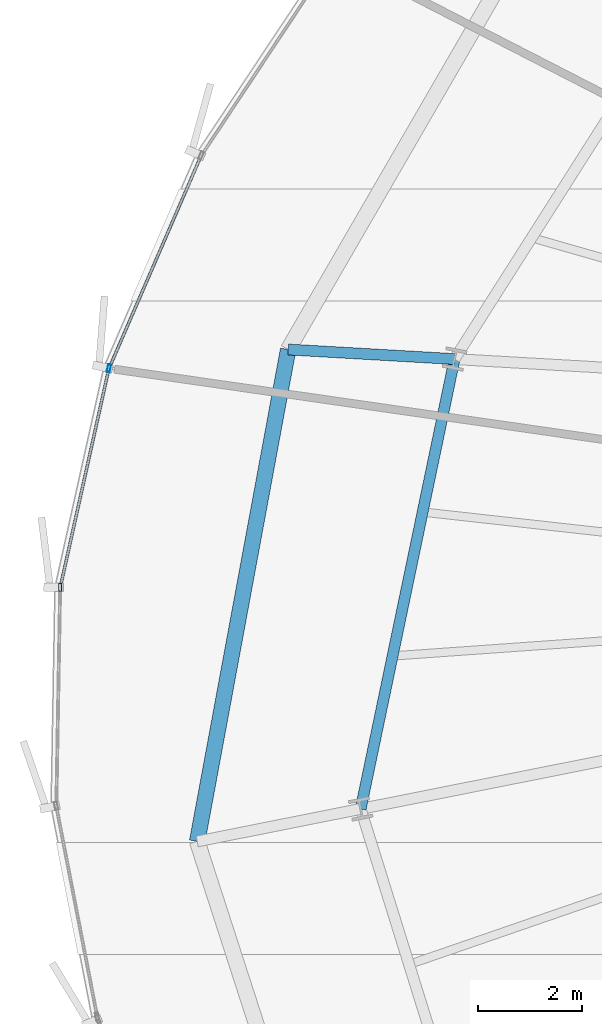
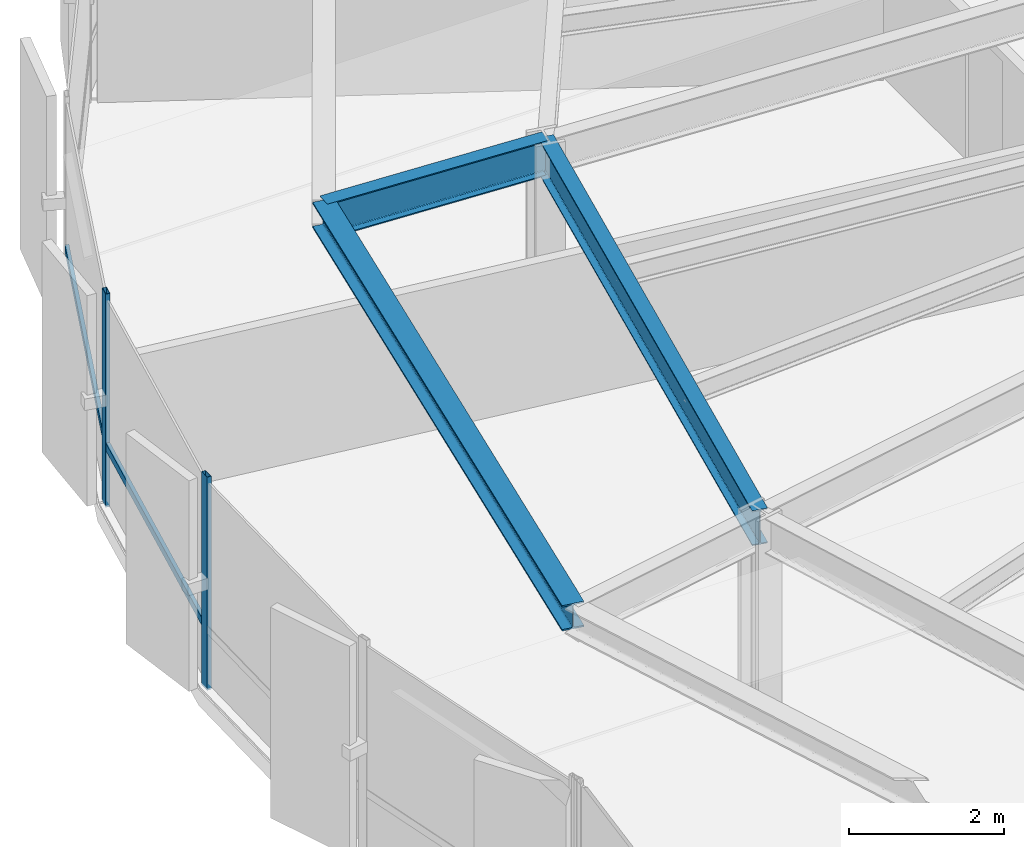
# One storey, part 10 of 35: 4 members, 3 beams, 1 element without a shape of its own.
"""IFC4 building model written with IfcOpenShell, lengths in metres."""

import ifcopenshell
import ifcopenshell.guid

model = None  # the IFC model being written
_history = None  # IfcOwnerHistory: only IFC2X3 demands one
_inside = {}  # id of a spatial element -> (the spatial element, [elements in it])
_under = {}  # id of a project, library or spatial element -> (it, [spatial elements below it])
_declared = {}  # id of a project -> (the project, [libraries it declares])
_typed = {}  # id of a type object -> (the type object, [elements of that type])
_made_of = {}  # id of a material, layer set ... -> (it, [elements and type objects made of it])


def new_model(schema):
    """Start an empty IFC model of exactly this schema.

    Asked for "IFC4X3", IfcOpenShell would pick the latest addendum, in which some entities
    have other attributes; the version numbers below select the first issue.
    IFC2X3 requires an IfcOwnerHistory on every rooted entity: one is made here for all.
    """
    global model, _history
    if schema == "IFC4X3":
        model = ifcopenshell.file(schema_version=(4, 3, 0, 0))
    else:
        model = ifcopenshell.file(schema=schema)
    _inside.clear()
    _under.clear()
    _declared.clear()
    _typed.clear()
    _made_of.clear()
    _history = None
    if model.schema == "IFC2X3":
        org = make("IfcOrganization", Name="unknown")
        user = make(
            "IfcPersonAndOrganization",
            ThePerson=make("IfcPerson", FamilyName="unknown"),
            TheOrganization=org,
        )
        app = make(
            "IfcApplication",
            ApplicationDeveloper=org,
            Version="unknown",
            ApplicationFullName="unknown",
            ApplicationIdentifier="unknown",
        )
        _history = make(
            "IfcOwnerHistory",
            OwningUser=user,
            OwningApplication=app,
            ChangeAction="ADDED",
            CreationDate=0,
        )
    return model


def make(cls, **values):
    """One entity of the class cls with the attributes given. An attribute that is None is left unset."""
    return model.create_entity(
        cls, **{name: value for name, value in values.items() if value is not None}
    )


def rooted(cls, **values):
    """An entity with a GlobalId (a new one), such as an element, a storey or a relation."""
    return make(cls, GlobalId=ifcopenshell.guid.new(), OwnerHistory=_history, **values)


def si_unit(unit_type, name, prefix=None):
    """IfcSIUnit, for example si_unit("LENGTHUNIT", "METRE", prefix="MILLI")."""
    return make("IfcSIUnit", UnitType=unit_type, Prefix=prefix, Name=name)


def assignment(units):
    """IfcUnitAssignment: the units of a project."""
    return None if units is None else make("IfcUnitAssignment", Units=units)


def point(xyz):
    """IfcCartesianPoint."""
    return None if xyz is None else make("IfcCartesianPoint", Coordinates=xyz)


def direction(xyz):
    """IfcDirection."""
    return None if xyz is None else make("IfcDirection", DirectionRatios=xyz)


def frame(location, z_axis=None, x_axis=None):
    """IfcAxis2Placement3D, a coordinate frame: its origin and axes. An axis left out is left unset."""
    return make(
        "IfcAxis2Placement3D",
        Location=point(location),
        Axis=direction(z_axis),
        RefDirection=direction(x_axis),
    )


def frame_2d(location, x_axis=None):
    """IfcAxis2Placement2D, a coordinate frame in the plane: its origin and x axis."""
    return make(
        "IfcAxis2Placement2D", Location=point(location), RefDirection=direction(x_axis)
    )


def origin():
    """The frame at (0, 0, 0) with its axes left unset."""
    return frame((0.0, 0.0, 0.0))


def origin_2d():
    """The frame at (0, 0) in the plane with its x axis left unset."""
    return frame_2d((0.0, 0.0))


def place(relative_to, where):
    """IfcLocalPlacement: puts the frame where relative to a parent placement (None: the world)."""
    return make(
        "IfcLocalPlacement", PlacementRelTo=relative_to, RelativePlacement=where
    )


def context(
    kind, dimensions, precision=None, world=None, true_north=None, identifier=None
):
    """IfcGeometricRepresentationContext, for example the 3D "Model" context."""
    return make(
        "IfcGeometricRepresentationContext",
        ContextIdentifier=identifier,
        ContextType=kind,
        CoordinateSpaceDimension=dimensions,
        Precision=precision,
        WorldCoordinateSystem=world,
        TrueNorth=true_north,
    )


def subcontext(parent, identifier, kind, view, scale=None):
    """IfcGeometricRepresentationSubContext, for example "Body" below "Model"."""
    return make(
        "IfcGeometricRepresentationSubContext",
        ContextIdentifier=identifier,
        ContextType=kind,
        ParentContext=parent,
        TargetScale=scale,
        TargetView=view,
    )


def project(units=None, contexts=None):
    """IfcProject with its units and contexts."""
    return rooted(
        "IfcProject",
        Name="project",
        RepresentationContexts=contexts,
        UnitsInContext=assignment(units),
    )


def spatial(cls, under=None, at=None, **own):
    """A site, building, storey or space (cls), placed at a placement, below another one or the project."""
    s = rooted(cls, ObjectPlacement=at, **own)
    if under is not None:
        _under.setdefault(under.id(), (under, []))[1].append(s)
    return s


def profile(cls, at=None, kind="AREA", **sizes):
    """A parametric profile (cls). Its sizes go by their IFC names, for example OverallWidth=200.0."""
    return make(cls, ProfileType=kind, Position=at, **sizes)


def hollow_rectangle(**sizes):
    """IfcRectangleHollowProfileDef."""
    return profile("IfcRectangleHollowProfileDef", **sizes)


def i_section(**sizes):
    """IfcIShapeProfileDef."""
    return profile("IfcIShapeProfileDef", **sizes)


def extrude(swept, where, along, depth):
    """IfcExtrudedAreaSolid: the profile swept, set in the frame where, extruded along a direction by depth."""
    return make(
        "IfcExtrudedAreaSolid",
        SweptArea=swept,
        Position=where,
        ExtrudedDirection=direction(along),
        Depth=depth,
    )


def shape(context_of_items, identifier, shape_type, items):
    """IfcShapeRepresentation: the items that make up one representation, for example the "Body"."""
    return make(
        "IfcShapeRepresentation",
        ContextOfItems=context_of_items,
        RepresentationIdentifier=identifier,
        RepresentationType=shape_type,
        Items=items,
    )


def source(mapping_origin, context_of_items, identifier, shape_type, items):
    """IfcRepresentationMap: a shape defined once, which mapped items show again and again."""
    return make(
        "IfcRepresentationMap",
        MappingOrigin=mapping_origin,
        MappedRepresentation=shape(context_of_items, identifier, shape_type, items),
    )


def transform(
    local_origin,
    x_axis=None,
    y_axis=None,
    z_axis=None,
    scale=None,
    scale2=None,
    scale3=None,
    uniform=True,
):
    """IfcCartesianTransformationOperator3D, or its non-uniform kind. x_axis, y_axis, z_axis: its Axis1, 2, 3."""
    if uniform:
        return make(
            "IfcCartesianTransformationOperator3D",
            Axis1=direction(x_axis),
            Axis2=direction(y_axis),
            LocalOrigin=point(local_origin),
            Scale=scale,
            Axis3=direction(z_axis),
        )
    return make(
        "IfcCartesianTransformationOperator3DnonUniform",
        Axis1=direction(x_axis),
        Axis2=direction(y_axis),
        LocalOrigin=point(local_origin),
        Scale=scale,
        Axis3=direction(z_axis),
        Scale2=scale2,
        Scale3=scale3,
    )


def mapped(mapping_source, mapping_target):
    """IfcMappedItem: shows the shape of a source again, moved by a transform."""
    return make(
        "IfcMappedItem", MappingSource=mapping_source, MappingTarget=mapping_target
    )


def material(Name=None, Category=None):
    """IfcMaterial."""
    return make("IfcMaterial", Name=Name, Category=Category)


def layer(
    of_material, thickness, ventilated=None, Name=None, Category=None, Priority=None
):
    """IfcMaterialLayer: one layer of a wall or slab, of a material (None: an air gap)."""
    return make(
        "IfcMaterialLayer",
        Material=of_material,
        LayerThickness=thickness,
        IsVentilated=ventilated,
        Name=Name,
        Category=Category,
        Priority=Priority,
    )


def layer_set(layers, Name=None):
    """IfcMaterialLayerSet."""
    return make("IfcMaterialLayerSet", MaterialLayers=layers, LayerSetName=Name)


def material_profile(
    of_material, cross_section, Name=None, Category=None, Priority=None
):
    """IfcMaterialProfile: a cross section and its material."""
    return make(
        "IfcMaterialProfile",
        Name=Name,
        Material=of_material,
        Profile=cross_section,
        Priority=Priority,
        Category=Category,
    )


def profile_set(profiles, Name=None, composite=None):
    """IfcMaterialProfileSet."""
    return make(
        "IfcMaterialProfileSet",
        Name=Name,
        MaterialProfiles=profiles,
        CompositeProfile=composite,
    )


def made_of(thing, what):
    """Note that an element or type object is made of a material, layer set ...; save() writes the relation."""
    if what is not None:
        _made_of.setdefault(what.id(), (what, []))[1].append(thing)
    return thing


def type_object(cls, material=None, **own):
    """A type object (cls), such as IfcWallType, which elements share."""
    return made_of(rooted(cls, **own), material)


def element(
    cls,
    number,
    at=None,
    inside=None,
    cuts=None,
    type_object=None,
    material=None,
    context=None,
    identifier="Body",
    shape_type=None,
    held_by="IfcProductDefinitionShape",
    body=None,
    shapes=None,
    **own,
):
    """One element of the class cls, such as IfcWall. Its Tag is "e" and its number.

    at: its placement. inside: the storey or other place that contains it. cuts: it is an
    opening in that element (IfcRelVoidsElement). A single representation is given by context,
    identifier, shape_type and body (its items); several are given by shapes. held_by: the class
    of the entity that holds the representations. save() writes the other relations.
    """
    e = rooted(cls, Tag="e%d" % number, ObjectPlacement=at, **own)
    if body is not None:
        shapes = [shape(context, identifier, shape_type, body)]
    if shapes is not None:
        e.Representation = make(held_by, Representations=shapes)
    if inside is not None:
        _inside.setdefault(inside.id(), (inside, []))[1].append(e)
    if cuts is not None:
        rooted(
            "IfcRelVoidsElement", RelatingBuildingElement=cuts, RelatedOpeningElement=e
        )
    if type_object is not None:
        _typed.setdefault(type_object.id(), (type_object, []))[1].append(e)
    return made_of(e, material)


def aggregate(whole, parts):
    """IfcRelAggregates: a whole, such as a stair, and the parts it consists of."""
    return rooted("IfcRelAggregates", RelatingObject=whole, RelatedObjects=parts)


def save(model, path):
    """Write the relations noted so far, then the file.

    IfcRelAggregates (storeys below a building ...), IfcRelContainedInSpatialStructure (elements
    in a storey), IfcRelDefinesByType, IfcRelAssociatesMaterial and IfcRelDeclares: one each for
    every whole, place, type object, material and project.
    """
    for whole, parts in _under.values():
        aggregate(whole, parts)
    for where, things in _inside.values():
        rooted(
            "IfcRelContainedInSpatialStructure",
            RelatedElements=things,
            RelatingStructure=where,
        )
    for kind, things in _typed.values():
        rooted("IfcRelDefinesByType", RelatedObjects=things, RelatingType=kind)
    for what, things in _made_of.values():
        rooted("IfcRelAssociatesMaterial", RelatedObjects=things, RelatingMaterial=what)
    for by, libraries in _declared.values():
        rooted("IfcRelDeclares", RelatingContext=by, RelatedDefinitions=libraries)
    model.write(path)


model = new_model("IFC4")

# Units and contexts
model_context = context("Model", 3, precision=1e-05, world=origin(), true_north=direction((0.0, 1.0)))
body_context = subcontext(model_context, "Body", "Model", "MODEL_VIEW")
ifc_project = project(units=[si_unit("LENGTHUNIT", "METRE"), si_unit("AREAUNIT", "SQUARE_METRE"), si_unit("VOLUMEUNIT", "CUBIC_METRE"), si_unit("PLANEANGLEUNIT", "RADIAN"), si_unit("MASSUNIT", "GRAM", prefix="KILO"), si_unit("THERMODYNAMICTEMPERATUREUNIT", "KELVIN")], contexts=[model_context])

# Site, building, storey
site_placement = place(None, origin())
site = spatial("IfcSite", under=ifc_project, at=site_placement, CompositionType="ELEMENT")
building_placement = place(site_placement, origin())
building = spatial("IfcBuilding", under=site, at=building_placement, Name="Kethvar Cultural Tower", CompositionType="ELEMENT")
storey_placement = place(building_placement, frame((0.0, 0.0, 103.60009765625)))
storey = spatial("IfcBuildingStorey", under=building, at=storey_placement, Name="L25", CompositionType="ELEMENT", Elevation=103.60009765625)

# Beams
ifc_material_1 = material(Name="Steel S355J2", Category="steel")
ifc_material_profile_1 = material_profile(ifc_material_1, i_section(OverallWidth=0.2099609375, OverallDepth=0.550048828125, WebThickness=0.010986328125, FlangeThickness=0.01708984375, FilletRadius=0.02392578125, at=origin_2d()), Name="Steel S355J2 — IPE550")
ifc_profile_set_1 = profile_set([ifc_material_profile_1], Name="Steel S355J2 — IPE550")
beam_type_1 = type_object("IfcBeamType", Name="BM-IPE550", PredefinedType="BEAM", material=ifc_profile_set_1)
shared_shape_1 = source(origin(), body_context, "Body", "SweptSolid", [
    extrude(i_section(OverallWidth=0.2099609375, OverallDepth=0.550048828125, WebThickness=0.010986328125, FlangeThickness=0.01708984375, FilletRadius=0.02392578125, at=origin_2d()), origin(), (0.0, 0.0, 1.0), 3.2001953125),
])
beam_1_placement = place(storey_placement, frame((25.988525390625, 31.939697265625, 3.072998046875), z_axis=(-0.998357274949, 0.057295301352, 0.0), x_axis=(-0.057295301352, -0.998357274949, 0.0)))
element("IfcBeam", 1, at=beam_1_placement, inside=storey, type_object=beam_type_1, Name="L25 Perimeter Cantilever Beam RC-08", PredefinedType="BEAM", context=body_context, shape_type="MappedRepresentation", body=[
    mapped(shared_shape_1, transform((0.0, 0.0, 0.0), scale=1.0)),
])
shared_shape_2 = source(origin(), body_context, "Body", "SweptSolid", [
    extrude(i_section(OverallWidth=0.2099609375, OverallDepth=0.550048828125, WebThickness=0.010986328125, FlangeThickness=0.01708984375, FilletRadius=0.02392578125, at=origin_2d()), origin(), (0.0, 0.0, 1.0), 8.82421875),
])
beam_2_placement = place(storey_placement, frame((25.988525390625, 31.939697265625, 3.072998046875), z_axis=(-0.204350879122, -0.978897705688, 0.0), x_axis=(0.978897705688, -0.204350879122, 0.0)))
element("IfcBeam", 2, at=beam_2_placement, inside=storey, type_object=beam_type_1, Name="L25 Column Ring Tie Beam CR-08", PredefinedType="BEAM", context=body_context, shape_type="MappedRepresentation", body=[
    mapped(shared_shape_2, transform((0.0, 0.0, 0.0), scale=1.0)),
])
ifc_material_profile_2 = material_profile(ifc_material_1, i_section(OverallWidth=0.300048828125, OverallDepth=0.39990234375, WebThickness=0.013427734375, FlangeThickness=0.02392578125, FilletRadius=0.027099609375, at=origin_2d()), Name="Steel S355J2 — HEB400")
ifc_profile_set_2 = profile_set([ifc_material_profile_2], Name="Steel S355J2 — HEB400")
beam_type_2 = type_object("IfcBeamType", Name="BM-SP400", PredefinedType="SPANDREL", material=ifc_profile_set_2)
shared_shape_3 = source(origin(), body_context, "Body", "SweptSolid", [
    extrude(i_section(OverallWidth=0.300048828125, OverallDepth=0.39990234375, WebThickness=0.013427734375, FlangeThickness=0.02392578125, FilletRadius=0.027099609375, at=origin_2d()), origin(), (0.0, 0.0, 1.0), 9.605712890625),
])
beam_3_placement = place(storey_placement, frame((22.793701171875, 32.123046875, 3.14794921875), z_axis=(-0.1818526217, -0.983325797476, 0.0), x_axis=(0.983325797476, -0.1818526217, 0.0)))
element("IfcBeam", 3, at=beam_3_placement, inside=storey, type_object=beam_type_2, Name="L25 Perimeter Spandrel Beam SP-08", PredefinedType="SPANDREL", context=body_context, shape_type="MappedRepresentation", body=[
    mapped(shared_shape_3, transform((0.0, 0.0, 0.0), scale=1.0)),
])

# Curtain wall, members
ifc_material_2 = material(Name="Aluminium 6063-T6", Category="aluminium")
ifc_layer = layer(ifc_material_2, 0.179931640625, Name="Aluminium 6063-T6", Category="aluminium")
ifc_layer_set = layer_set([ifc_layer], Name="Aluminium 6063-T6 (180 mm)")
curtain_wall_type = type_object("IfcCurtainWallType", Name="CW-SYS-03-Z2", PredefinedType="NOTDEFINED", material=ifc_layer_set)
curtain_wall_placement = place(storey_placement, origin())
curtain_wall = element("IfcCurtainWall", 4, at=curtain_wall_placement, inside=storey, type_object=curtain_wall_type, Name="L25 Curtain Wall Run 03", PredefinedType="NOTDEFINED")
ifc_material_profile_3 = material_profile(ifc_material_2, hollow_rectangle(XDim=0.06005859375, YDim=0.14990234375, WallThickness=0.0048828125, at=origin_2d()), Name="Aluminium 6063-T6 — RHS150x60x5")
ifc_profile_set_3 = profile_set([ifc_material_profile_3], Name="Aluminium 6063-T6 — RHS150x60x5")
member_type_1 = type_object("IfcMemberType", Name="CW-SYS-03-Z2-MUL", PredefinedType="MULLION", material=ifc_profile_set_3)
shared_shape_4 = source(origin(), body_context, "Body", "SweptSolid", [
    extrude(hollow_rectangle(XDim=0.06005859375, YDim=0.14990234375, WallThickness=0.0048828125, at=origin_2d()), origin(), (0.0, 0.0, 1.0), 3.349853515625),
])
member_1_placement = place(storey_placement, frame((19.352294921875, 31.76025390625, 0.0), z_axis=(0.0, 0.0, 1.0), x_axis=(0.976174972174, -0.216984846706, 0.0)))
member_1 = element("IfcMember", 5, at=member_1_placement, type_object=member_type_1, Name="CW-L25-R03 Mullion 4", PredefinedType="MULLION", context=body_context, shape_type="MappedRepresentation", body=[
    mapped(shared_shape_4, transform((0.0, 0.0, 0.0), scale=1.0)),
])
member_2_placement = place(storey_placement, frame((18.415283203125, 27.55615234375, 0.0), z_axis=(0.0, 0.0, 1.0), x_axis=(0.999847390402, -0.017469857069, 0.0)))
member_2 = element("IfcMember", 6, at=member_2_placement, type_object=member_type_1, Name="CW-L25-R03 Mullion 5", PredefinedType="MULLION", context=body_context, shape_type="MappedRepresentation", body=[
    mapped(shared_shape_4, transform((0.0, 0.0, 0.0), scale=1.0)),
])
ifc_material_profile_4 = material_profile(ifc_material_2, hollow_rectangle(XDim=0.054931640625, YDim=0.1201171875, WallThickness=0.00390625, at=origin_2d()), Name="Aluminium 6063-T6 — RHS120x55x4")
ifc_profile_set_4 = profile_set([ifc_material_profile_4], Name="Aluminium 6063-T6 — RHS120x55x4")
member_type_2 = type_object("IfcMemberType", Name="CW-SYS-03-Z2-TRN", PredefinedType="USERDEFINED", material=ifc_profile_set_4)
shared_shape_5 = source(origin(), body_context, "Body", "SweptSolid", [
    extrude(hollow_rectangle(XDim=0.054931640625, YDim=0.1201171875, WallThickness=0.00390625, at=origin_2d()), origin(), (0.0, 0.0, 1.0), 4.387451171875),
])
member_3_placement = place(storey_placement, frame((21.105224609375, 35.805908203125, 0.949951171875), z_axis=(-0.39718733273, -0.917737556559, 0.0), x_axis=(0.917737556559, -0.39718733273, 0.0)))
member_3 = element("IfcMember", 7, at=member_3_placement, type_object=member_type_2, Name="CW-L25-R03 Transom 3", ObjectType="TRANSOM", PredefinedType="USERDEFINED", context=body_context, shape_type="MappedRepresentation", body=[
    mapped(shared_shape_5, transform((0.0, 0.0, 0.0), scale=1.0)),
])
shared_shape_6 = source(origin(), body_context, "Body", "SweptSolid", [
    extrude(hollow_rectangle(XDim=0.054931640625, YDim=0.1201171875, WallThickness=0.00390625, at=origin_2d()), origin(), (0.0, 0.0, 1.0), 4.243896484375),
])
member_4_placement = place(storey_placement, frame((19.3427734375, 31.718017578125, 0.949951171875), z_axis=(-0.216991368204, -0.976173522549, 0.0), x_axis=(0.976173522549, -0.216991368204, 0.0)))
member_4 = element("IfcMember", 8, at=member_4_placement, type_object=member_type_2, Name="CW-L25-R03 Transom 4", ObjectType="TRANSOM", PredefinedType="USERDEFINED", context=body_context, shape_type="MappedRepresentation", body=[
    mapped(shared_shape_6, transform((0.0, 0.0, 0.0), scale=1.0)),
])
aggregate(curtain_wall, [member_1, member_2, member_3, member_4])

save(model, "model.ifc")
